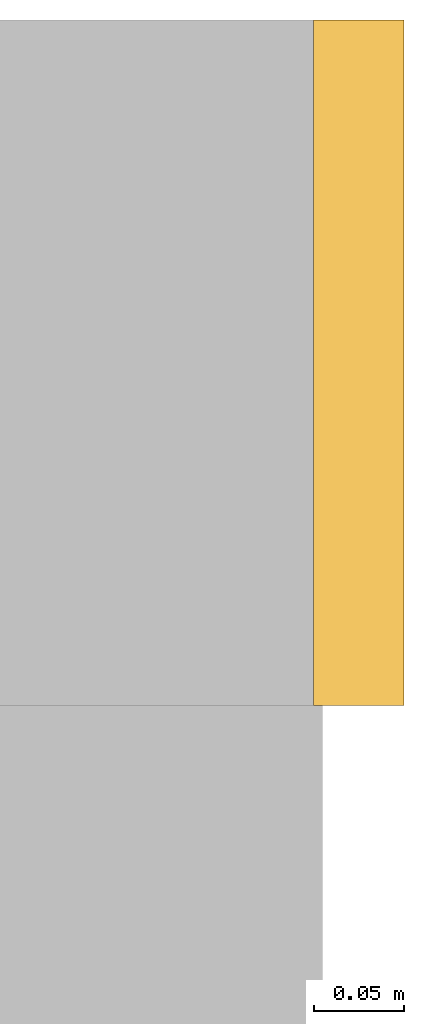
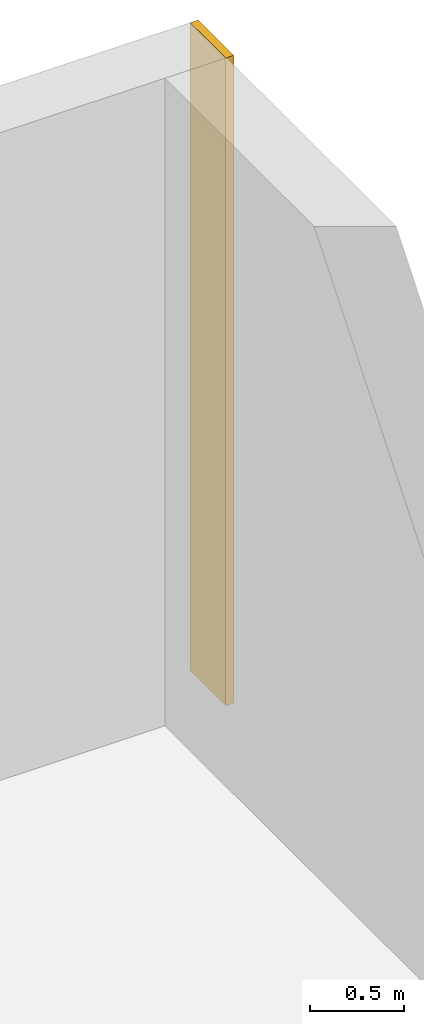
# One storey, part 21 of 21: 1 covering.
"""IFC4 building model written with IfcOpenShell, lengths in metres."""

from ifc_helpers import new_model, si_unit, direction, frame, frame_2d, origin, place, context, subcontext, project, spatial, rectangle, extrude, material, layer, layer_set, type_object, element, save


model = new_model("IFC4")

# Units and contexts
model_context = context("Model", 3, precision=1e-05, world=origin(), true_north=direction((0.0, 1.0)))
body_context = subcontext(model_context, "Body", "Model", "MODEL_VIEW")
ifc_project = project(units=[si_unit("LENGTHUNIT", "METRE"), si_unit("AREAUNIT", "SQUARE_METRE"), si_unit("VOLUMEUNIT", "CUBIC_METRE"), si_unit("PLANEANGLEUNIT", "RADIAN"), si_unit("MASSUNIT", "GRAM", prefix="KILO")], contexts=[model_context])

# Site, building, storey
site_placement = place(None, origin())
site = spatial("IfcSite", under=ifc_project, at=site_placement, CompositionType="ELEMENT")
building_placement = place(site_placement, origin())
building = spatial("IfcBuilding", under=site, at=building_placement, Name="Cairnveth Concourse Tower", CompositionType="ELEMENT")
storey_placement = place(building_placement, frame((0.0, 0.0, 10.0)))
storey = spatial("IfcBuildingStorey", under=building, at=storey_placement, Name="L02", CompositionType="ELEMENT", Elevation=10.0)

# Covering
ifc_material = material(Name="Dressed Melbourne Bluestone Cladding", Category="masonry")
ifc_layer = layer(ifc_material, 0.050048828125)
ifc_layer_set = layer_set([ifc_layer], Name="Dressed Melbourne Bluestone Cladding")
covering_type = type_object("IfcCoveringType", Name="DRESSED BLUESTONE PLINTH CLADDING 50", PredefinedType="CLADDING", material=ifc_layer_set)
covering_placement = place(storey_placement, frame((85.52001953125, 65.6201171875, 0.0), z_axis=(0.0, 0.0, 1.0), x_axis=(0.0, 1.0, 0.0)))
element("IfcCovering", 1, at=covering_placement, inside=storey, type_object=covering_type, Name="Melbourne Bluestone Corner Quoin L02-12", PredefinedType="CLADDING", context=body_context, shape_type="SweptSolid", body=[
    extrude(rectangle(XDim=0.3798828125, YDim=0.050048828125, at=frame_2d((0.18994140625, 0.0))), origin(), (0.0, 0.0, 1.0), 4.219970703125),
])

save(model, "model.ifc")
